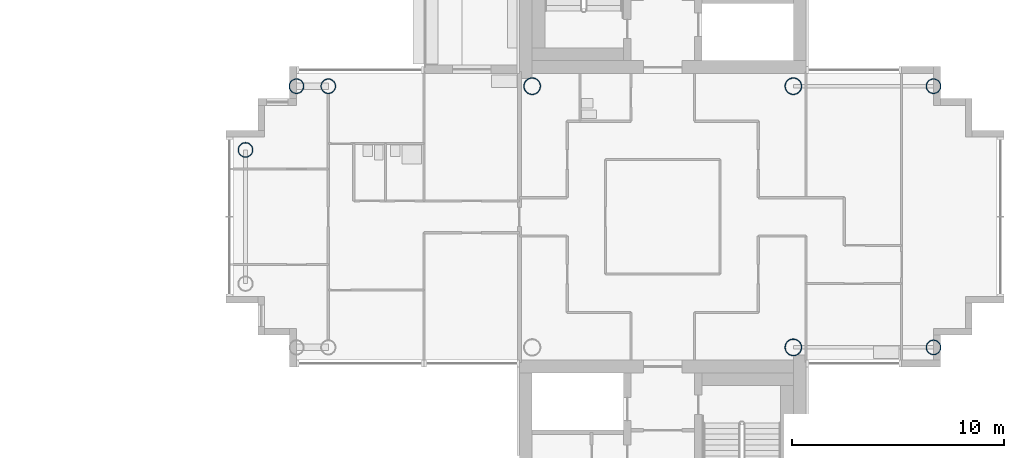
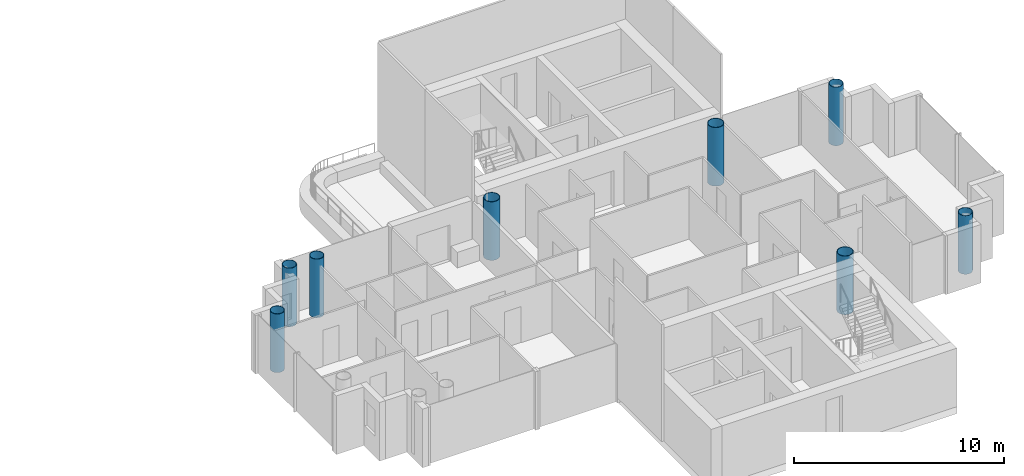
# One storey, part 2 of 18: 8 columns.
"""IFC4 building model written with IfcOpenShell, lengths in metres."""

from ifc_helpers import new_model, si_unit, direction, frame, origin, origin_2d, place, context, subcontext, project, spatial, hollow_circle, extrude, material, material_profile, profile_set, type_object, element, save


model = new_model("IFC4")

# Units and contexts
model_context = context("Model", 3, precision=1e-05, world=origin(), true_north=direction((0.0, 1.0)))
body_context = subcontext(model_context, "Body", "Model", "MODEL_VIEW")
ifc_project = project(units=[si_unit("LENGTHUNIT", "METRE"), si_unit("AREAUNIT", "SQUARE_METRE"), si_unit("VOLUMEUNIT", "CUBIC_METRE"), si_unit("PLANEANGLEUNIT", "RADIAN"), si_unit("MASSUNIT", "GRAM", prefix="KILO")], contexts=[model_context])

# Site, building, storey
site_placement = place(None, origin())
site = spatial("IfcSite", under=ifc_project, at=site_placement, CompositionType="ELEMENT")
building_placement = place(site_placement, origin())
building = spatial("IfcBuilding", under=site, at=building_placement, Name="Ipe Terrace Towers", CompositionType="ELEMENT")
storey_placement = place(building_placement, frame((0.0, 0.0, 199.39990234375)))
storey = spatial("IfcBuildingStorey", under=building, at=storey_placement, Name="L55", CompositionType="ELEMENT", Elevation=199.39990234375)

# Columns
ifc_material_1 = material(Name="Steel S355 tube with Concrete C60/75 fill", Category="concrete")
ifc_material_profile_1 = material_profile(ifc_material_1, hollow_circle(Radius=0.35009765625, WallThickness=0.02490234375, at=origin_2d()), Name="CHS-700x25")
ifc_profile_set_1 = profile_set([ifc_material_profile_1], Name="Steel S355 tube with Concrete C60/75 fill")
column_type_1 = type_object("IfcColumnType", Name="CH08 COLUMN CHS-700x25", PredefinedType="COLUMN", material=ifc_profile_set_1)
for number, where, z_axis, x_axis, name in (
    (1, (20.25, 6.14990234375, 0.0), (0.0, 0.0, 1.0), (1.0, 0.0, 0.0), "Column T2-C-B03"),
    (2, (18.75, 6.14990234375, 0.0), (0.0, 0.0, 1.0), (1.0, 0.0, 0.0), "Column T2-C-B05"),
    (3, (16.35009765625, 3.14990234375, 0.0), (0.0, 0.0, 1.0), (1.0, 0.0, 0.0), "Column T2-C-B07"),
    (4, (48.75, -6.14990234375, 0.0), (0.0, 0.0, 1.0), (1.0, 0.0, 0.0), "Column T2-C-D01"),
    (5, (48.75, 6.14990234375, 0.0), (0.0, 0.0, 1.0), (1.0, 0.0, 0.0), "Column T2-C-D02"),
):
    element("IfcColumn", number, at=place(storey_placement, frame(where, z_axis=z_axis, x_axis=x_axis)), inside=storey, type_object=column_type_1, Name=name, PredefinedType="COLUMN", context=body_context, shape_type="SweptSolid", body=[
        extrude(hollow_circle(Radius=0.35009765625, WallThickness=0.02490234375, at=origin_2d()), origin(), (0.0, 0.0, 1.0), 3.400146484375),
    ])
ifc_material_2 = material(Name="Steel S355 tube with Concrete C60/75 fill", Category="concrete")
ifc_material_profile_2 = material_profile(ifc_material_2, hollow_circle(Radius=0.39990234375, WallThickness=0.028076171875, at=origin_2d()), Name="CHS-800x28")
ifc_profile_set_2 = profile_set([ifc_material_profile_2], Name="Steel S355 tube with Concrete C60/75 fill")
column_type_2 = type_object("IfcColumnType", Name="CH09 COLUMN CHS-800x28", PredefinedType="COLUMN", material=ifc_profile_set_2)
for number, where, z_axis, x_axis, name in (
    (6, (42.14990234375, -6.14990234375, 0.0), (0.0, 0.0, 1.0), (1.0, 0.0, 0.0), "Column T2-C-E01"),
    (7, (42.14990234375, 6.14990234375, 0.0), (0.0, 0.0, 1.0), (1.0, 0.0, 0.0), "Column T2-C-E02"),
    (8, (29.85009765625, 6.14990234375, 0.0), (0.0, 0.0, 1.0), (1.0, 0.0, 0.0), "Column T2-C-E03"),
):
    element("IfcColumn", number, at=place(storey_placement, frame(where, z_axis=z_axis, x_axis=x_axis)), inside=storey, type_object=column_type_2, Name=name, PredefinedType="COLUMN", context=body_context, shape_type="SweptSolid", body=[
        extrude(hollow_circle(Radius=0.39990234375, WallThickness=0.028076171875, at=origin_2d()), origin(), (0.0, 0.0, 1.0), 3.400146484375),
    ])

save(model, "model.ifc")
